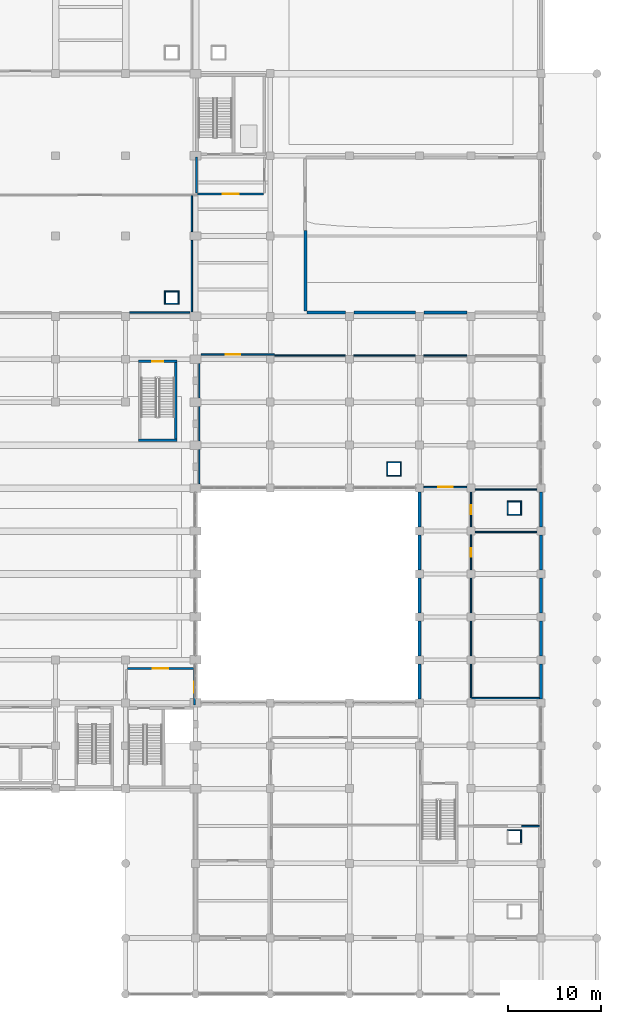
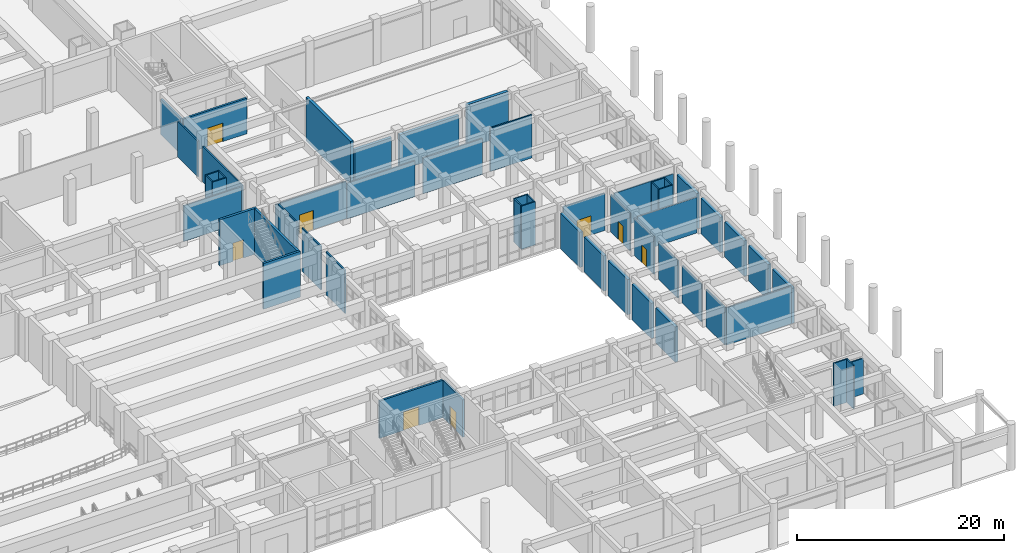
# One storey, part 69 of 84: 55 walls, 8 doors, 8 openings.
"""IFC4 building model written with IfcOpenShell, lengths in metres."""

from ifc_helpers import new_model, si_unit, direction, frame, frame_2d, origin, place, context, subcontext, project, spatial, rectangle, extrude, material, layer, layer_set, type_object, element, fill, save


model = new_model("IFC4")

# Units and contexts
model_context = context("Model", 3, precision=1e-05, world=origin(), true_north=direction((0.0, 1.0)))
body_context = subcontext(model_context, "Body", "Model", "MODEL_VIEW")
ifc_project = project(units=[si_unit("LENGTHUNIT", "METRE"), si_unit("AREAUNIT", "SQUARE_METRE"), si_unit("VOLUMEUNIT", "CUBIC_METRE"), si_unit("PLANEANGLEUNIT", "RADIAN"), si_unit("MASSUNIT", "GRAM", prefix="KILO")], contexts=[model_context])

# Site, building, storey
site_placement = place(None, origin())
site = spatial("IfcSite", under=ifc_project, at=site_placement, CompositionType="ELEMENT")
building_placement = place(site_placement, origin())
building = spatial("IfcBuilding", under=site, at=building_placement, Name="Muzn Square Opera House", CompositionType="ELEMENT")
storey_placement = place(building_placement, origin())
storey = spatial("IfcBuildingStorey", under=building, at=storey_placement, Name="L00", CompositionType="ELEMENT", Elevation=0.0)

# Walls
ifc_material_1 = material(Name="Acoustic gypsum stud partition", Category="gypsum")
ifc_layer_1 = layer(ifc_material_1, 0.320068359375, Name="Acoustic gypsum stud partition", Category="gypsum")
ifc_layer_set_1 = layer_set([ifc_layer_1], Name="Acoustic gypsum stud partition")
wall_type_1 = type_object("IfcWallType", Name="Acoustic Studio Double Wall 320mm", PredefinedType="PARTITIONING", material=ifc_layer_set_1)
wall_1_placement = place(storey_placement, frame((144.945068359375, 73.0, 0.0), z_axis=(0.0, 0.0, 1.0), x_axis=(1.0, 0.0, 0.0)))
element("IfcWall", 1, at=wall_1_placement, inside=storey, type_object=wall_type_1, Name="Room Enclosure Partition PW-L00-0125", PredefinedType="PARTITIONING", context=body_context, shape_type="SweptSolid", body=[
    extrude(rectangle(XDim=4.10986328125, YDim=0.320068359375, at=frame_2d((2.054931640625, 0.0))), origin(), (0.0, 0.0, 1.0), 4.199951171875),
])
wall_2_placement = place(storey_placement, frame((149.945068359375, 73.0, 0.0), z_axis=(0.0, 0.0, 1.0), x_axis=(1.0, 0.0, 0.0)))
element("IfcWall", 2, at=wall_2_placement, inside=storey, type_object=wall_type_1, Name="Room Enclosure Partition PW-L00-0126", PredefinedType="PARTITIONING", context=body_context, shape_type="SweptSolid", body=[
    extrude(rectangle(XDim=6.60986328125, YDim=0.320068359375, at=frame_2d((3.304931640625, 0.0))), origin(), (0.0, 0.0, 1.0), 4.199951171875),
])
wall_3_placement = place(storey_placement, frame((157.445068359375, 73.0, 0.0), z_axis=(0.0, 0.0, 1.0), x_axis=(1.0, 0.0, 0.0)))
element("IfcWall", 3, at=wall_3_placement, inside=storey, type_object=wall_type_1, Name="Room Enclosure Partition PW-L00-0127", PredefinedType="PARTITIONING", context=body_context, shape_type="SweptSolid", body=[
    extrude(rectangle(XDim=4.60986328125, YDim=0.320068359375, at=frame_2d((2.304931640625, 0.0))), origin(), (0.0, 0.0, 1.0), 5.10009765625),
])
wall_4_placement = place(storey_placement, frame((144.800048828125, 73.14501953125, 0.0), z_axis=(0.0, 0.0, 1.0), x_axis=(0.0, 1.0, 0.0)))
element("IfcWall", 4, at=wall_4_placement, inside=storey, type_object=wall_type_1, Name="Room Enclosure Partition PW-L00-0129", PredefinedType="PARTITIONING", context=body_context, shape_type="SweptSolid", body=[
    extrude(rectangle(XDim=8.635009765625, YDim=0.320068359375, at=frame_2d((4.3173828125, 0.0))), origin(), (0.0, 0.0, 1.0), 5.10009765625),
])
ifc_material_2 = material(Name="Concrete C45/55", Category="concrete")
ifc_layer_2 = layer(ifc_material_2, 0.25, Name="Concrete C45/55", Category="concrete")
ifc_layer_set_2 = layer_set([ifc_layer_2], Name="Concrete C45/55")
wall_type_2 = type_object("IfcWallType", Name="Aux Stair Enclosure Wall 250mm", PredefinedType="SHEAR", material=ifc_layer_set_2)
wall_5_placement = place(storey_placement, frame((126.89990234375, 59.324951171875, 0.0), z_axis=(0.0, 0.0, 1.0), x_axis=(1.0, 0.0, 0.0)))
element("IfcWall", 5, at=wall_5_placement, inside=storey, type_object=wall_type_2, Name="Escape Stair ST-10 Wall S L00", PredefinedType="SHEAR", context=body_context, shape_type="SweptSolid", body=[
    extrude(rectangle(XDim=4.10009765625, YDim=0.25, at=frame_2d((2.050048828125, 0.0))), origin(), (0.0, 0.0, 1.0), 5.39990234375),
])
wall_6_placement = place(storey_placement, frame((130.875, 59.449951171875, 0.0), z_axis=(0.0, 0.0, 1.0), x_axis=(0.0, 1.0, 0.0)))
element("IfcWall", 6, at=wall_6_placement, inside=storey, type_object=wall_type_2, Name="Escape Stair ST-10 Wall E L00", PredefinedType="SHEAR", context=body_context, shape_type="SweptSolid", body=[
    extrude(rectangle(XDim=8.199951171875, YDim=0.25, at=frame_2d((4.10009765625, 0.0))), origin(), (0.0, 0.0, 1.0), 5.39990234375),
])

# Wall, opening, door
wall_7_placement = place(storey_placement, frame((126.89990234375, 67.77490234375, 0.0), z_axis=(0.0, 0.0, 1.0), x_axis=(1.0, 0.0, 0.0)))
wall_7 = element("IfcWall", 7, at=wall_7_placement, inside=storey, type_object=wall_type_2, Name="Escape Stair ST-10 Wall N L00", PredefinedType="SHEAR", context=body_context, shape_type="SweptSolid", body=[
    extrude(rectangle(XDim=4.10009765625, YDim=0.25, at=frame_2d((2.050048828125, 0.0))), origin(), (0.0, 0.0, 1.0), 5.39990234375),
])
opening_1_placement = place(wall_7_placement, frame((1.449951171875, 0.0, 0.0)))
opening_1 = element("IfcOpeningElement", 8, at=opening_1_placement, cuts=wall_7, Name="Opening DR-ST12", PredefinedType="OPENING", context=body_context, shape_type="SweptSolid", body=[
    extrude(rectangle(XDim=1.199951171875, YDim=2.14990234375, at=frame_2d((0.60009765625, 1.074951171875))), frame((0.0, 0.135009765625, 0.0), z_axis=(0.0, -1.0, 0.0), x_axis=(1.0, 0.0, 0.0)), (0.0, 0.0, 1.0), 0.27001953125),
])
ifc_material_3 = material(Name="Galvanised painted steel leaf", Category="metal")
door_type_1 = type_object("IfcDoorType", Name="Core Stair Fire Door 1200x2150", OperationType="NOTDEFINED", PredefinedType="DOOR", material=ifc_material_3)
door_1_placement = place(opening_1_placement, origin())
door_1 = element("IfcDoor", 9, at=door_1_placement, inside=storey, type_object=door_type_1, Name="Escape Stair ST-10 Door L00", OperationType="SINGLE_SWING_LEFT", OverallHeight=2.14990234375, OverallWidth=1.199951171875, PredefinedType="DOOR", context=body_context, shape_type="SweptSolid", body=[
    extrude(rectangle(XDim=1.199951171875, YDim=2.14990234375, at=frame_2d((0.60009765625, 1.074951171875))), frame((0.0, 0.02490234375, 0.0), z_axis=(0.0, -1.0, 0.0), x_axis=(1.0, 0.0, 0.0)), (0.0, 0.0, 1.0), 0.050048828125),
])
fill(opening_1, door_1)

# Walls
ifc_material_4 = material(Name="Concrete C40/50", Category="concrete")
ifc_layer_3 = layer(ifc_material_4, 0.340087890625, Name="Concrete C40/50", Category="concrete")
ifc_layer_set_3 = layer_set([ifc_layer_3], Name="Concrete C40/50")
wall_type_3 = type_object("IfcWallType", Name="Exterior Insulated Spandrel Wall 340mm", PredefinedType="SOLIDWALL", material=ifc_layer_set_3)
for number, where, z_axis, x_axis, name in (
    (10, (170.0, 31.625, 0.0), (0.0, 0.0, 1.0), (0.0, 1.0, 0.0), "Exterior Facade Wall EW-L00-123"),
    (11, (170.0, 36.22509765625, 0.0), (0.0, 0.0, 1.0), (0.0, 1.0, 0.0), "Exterior Facade Wall EW-L00-124"),
    (12, (170.0, 40.824951171875, 0.0), (0.0, 0.0, 1.0), (0.0, 1.0, 0.0), "Exterior Facade Wall EW-L00-125"),
    (13, (170.0, 45.425048828125, 0.0), (0.0, 0.0, 1.0), (0.0, 1.0, 0.0), "Exterior Facade Wall EW-L00-126"),
    (14, (170.0, 50.02490234375, 0.0), (0.0, 0.0, 1.0), (0.0, 1.0, 0.0), "Exterior Facade Wall EW-L00-127"),
    (15, (157.0, 31.625, 0.0), (0.0, 0.0, 1.0), (0.0, 1.0, 0.0), "Exterior Facade Wall EW-L00-136"),
    (16, (157.0, 36.22509765625, 0.0), (0.0, 0.0, 1.0), (0.0, 1.0, 0.0), "Exterior Facade Wall EW-L00-137"),
    (17, (157.0, 40.824951171875, 0.0), (0.0, 0.0, 1.0), (0.0, 1.0, 0.0), "Exterior Facade Wall EW-L00-138"),
    (18, (157.0, 45.425048828125, 0.0), (0.0, 0.0, 1.0), (0.0, 1.0, 0.0), "Exterior Facade Wall EW-L00-139"),
    (19, (157.0, 50.02490234375, 0.0), (0.0, 0.0, 1.0), (0.0, 1.0, 0.0), "Exterior Facade Wall EW-L00-140"),
):
    element("IfcWall", number, at=place(storey_placement, frame(where, z_axis=z_axis, x_axis=x_axis)), inside=storey, type_object=wall_type_3, Name=name, PredefinedType="SOLIDWALL", context=body_context, shape_type="SweptSolid", body=[
        extrude(rectangle(XDim=3.75, YDim=0.340087890625, at=frame_2d((1.875, 0.0))), origin(), (0.0, 0.0, 1.0), 4.14990234375),
    ])

# Wall, opening, door
ifc_layer_4 = layer(ifc_material_4, 0.219970703125, Name="Concrete C40/50", Category="concrete")
ifc_layer_set_4 = layer_set([ifc_layer_4], Name="Concrete C40/50")
wall_type_4 = type_object("IfcWallType", Name="Lift Lobby Wall 220mm", PredefinedType="SOLIDWALL", material=ifc_layer_set_4)
wall_8_placement = place(storey_placement, frame((125.719970703125, 34.889892578125, 0.0), z_axis=(0.0, 0.0, 1.0), x_axis=(1.0, 0.0, 0.0)))
wall_8 = element("IfcWall", 20, at=wall_8_placement, inside=storey, type_object=wall_type_4, Name="Lobby C4 Enclosure Wall L00", PredefinedType="SOLIDWALL", context=body_context, shape_type="SweptSolid", body=[
    extrude(rectangle(XDim=7.06005859375, YDim=0.219970703125, at=frame_2d((3.530029296875, 0.0))), origin(), (0.0, 0.0, 1.0), 4.39990234375),
])
opening_2_placement = place(wall_8_placement, frame((2.679931640625, 0.0, 0.0)))
opening_2 = element("IfcOpeningElement", 21, at=opening_2_placement, cuts=wall_8, Name="Opening DR-LL17", PredefinedType="OPENING", context=body_context, shape_type="SweptSolid", body=[
    extrude(rectangle(XDim=1.699951171875, YDim=2.179931640625, at=frame_2d((0.85009765625, 1.08984375))), frame((0.0, 0.119873046875, 0.0), z_axis=(0.0, -1.0, 0.0), x_axis=(1.0, 0.0, 0.0)), (0.0, 0.0, 1.0), 0.239990234375),
])
ifc_material_5 = material(Name="Acoustic hardwood leaf", Category="wood")
door_type_2 = type_object("IfcDoorType", Name="Lift Lobby Double Door 1700x2180", OperationType="DOUBLE_DOOR_SINGLE_SWING", PredefinedType="DOOR", material=ifc_material_5)
door_2_placement = place(opening_2_placement, origin())
door_2 = element("IfcDoor", 22, at=door_2_placement, inside=storey, type_object=door_type_2, Name="Lobby C4 Fire Door L00", OperationType="DOUBLE_DOOR_SINGLE_SWING", OverallHeight=2.179931640625, OverallWidth=1.699951171875, PredefinedType="DOOR", context=body_context, shape_type="SweptSolid", body=[
    extrude(rectangle(XDim=1.699951171875, YDim=2.179931640625, at=frame_2d((0.85009765625, 1.08984375))), frame((0.0, 0.02490234375, 0.0), z_axis=(0.0, -1.0, 0.0), x_axis=(1.0, 0.0, 0.0)), (0.0, 0.0, 1.0), 0.050048828125),
])
fill(opening_2, door_2)

wall_9_placement = place(storey_placement, frame((132.889892578125, 30.949951171875, 0.0), z_axis=(0.0, 0.0, 1.0), x_axis=(0.0, 1.0, 0.0)))
wall_9 = element("IfcWall", 23, at=wall_9_placement, inside=storey, type_object=wall_type_4, Name="Lobby C4 Side Wall E L00", PredefinedType="SOLIDWALL", context=body_context, shape_type="SweptSolid", body=[
    extrude(rectangle(XDim=3.830078125, YDim=0.219970703125, at=frame_2d((1.9150390625, 0.0))), origin(), (0.0, 0.0, 1.0), 4.39990234375),
])
opening_3_placement = place(wall_9_placement, frame((2.514892578125, 0.0, 0.0), z_axis=(0.0, 0.0, 1.0), x_axis=(-1.0, 0.0, 0.0)))
opening_3 = element("IfcOpeningElement", 24, at=opening_3_placement, cuts=wall_9, Name="Opening DR-ST12", PredefinedType="OPENING", context=body_context, shape_type="SweptSolid", body=[
    extrude(rectangle(XDim=1.199951171875, YDim=2.14990234375, at=frame_2d((0.60009765625, 1.074951171875))), frame((0.0, 0.119873046875, 0.0), z_axis=(0.0, -1.0, 0.0), x_axis=(1.0, 0.0, 0.0)), (0.0, 0.0, 1.0), 0.239990234375),
])
door_3_placement = place(opening_3_placement, origin())
door_3 = element("IfcDoor", 25, at=door_3_placement, inside=storey, type_object=door_type_1, Name="Lobby C4 Side Door E L00", OperationType="SINGLE_SWING_LEFT", OverallHeight=2.14990234375, OverallWidth=1.199951171875, PredefinedType="DOOR", context=body_context, shape_type="SweptSolid", body=[
    extrude(rectangle(XDim=1.199951171875, YDim=2.14990234375, at=frame_2d((0.60009765625, 1.074951171875))), frame((0.0, 0.02490234375, 0.0), z_axis=(0.0, -1.0, 0.0), x_axis=(1.0, 0.0, 0.0)), (0.0, 0.0, 1.0), 0.050048828125),
])
fill(opening_3, door_3)

wall_10_placement = place(storey_placement, frame((133.219970703125, 85.7099609375, 0.0), z_axis=(0.0, 0.0, 1.0), x_axis=(1.0, 0.0, 0.0)))
wall_10 = element("IfcWall", 26, at=wall_10_placement, inside=storey, type_object=wall_type_4, Name="Lobby C5 Enclosure Wall L00", PredefinedType="SOLIDWALL", context=body_context, shape_type="SweptSolid", body=[
    extrude(rectangle(XDim=7.06005859375, YDim=0.219970703125, at=frame_2d((3.530029296875, 0.0))), origin(), (0.0, 0.0, 1.0), 4.199951171875),
])
opening_4_placement = place(wall_10_placement, frame((4.3798828125, 0.0, 0.0), z_axis=(0.0, 0.0, 1.0), x_axis=(-1.0, 0.0, 0.0)))
opening_4 = element("IfcOpeningElement", 27, at=opening_4_placement, cuts=wall_10, Name="Opening DR-LL17", PredefinedType="OPENING", context=body_context, shape_type="SweptSolid", body=[
    extrude(rectangle(XDim=1.699951171875, YDim=2.179931640625, at=frame_2d((0.85009765625, 1.08984375))), frame((0.0, 0.119873046875, 0.0), z_axis=(0.0, -1.0, 0.0), x_axis=(1.0, 0.0, 0.0)), (0.0, 0.0, 1.0), 0.239990234375),
])
door_4_placement = place(opening_4_placement, origin())
door_4 = element("IfcDoor", 28, at=door_4_placement, inside=storey, type_object=door_type_2, Name="Lobby C5 Fire Door L00", OperationType="DOUBLE_DOOR_SINGLE_SWING", OverallHeight=2.179931640625, OverallWidth=1.699951171875, PredefinedType="DOOR", context=body_context, shape_type="SweptSolid", body=[
    extrude(rectangle(XDim=1.699951171875, YDim=2.179931640625, at=frame_2d((0.85009765625, 1.08984375))), frame((0.0, 0.02490234375, 0.0), z_axis=(0.0, -1.0, 0.0), x_axis=(1.0, 0.0, 0.0)), (0.0, 0.0, 1.0), 0.050048828125),
])
fill(opening_4, door_4)

# Wall
wall_11_placement = place(storey_placement, frame((133.110107421875, 85.820068359375, 0.0), z_axis=(0.0, 0.0, 1.0), x_axis=(0.0, 1.0, 0.0)))
element("IfcWall", 29, at=wall_11_placement, inside=storey, type_object=wall_type_4, Name="Lobby C5 Side Wall W L00", PredefinedType="SOLIDWALL", context=body_context, shape_type="SweptSolid", body=[
    extrude(rectangle(XDim=3.829833984375, YDim=0.219970703125, at=frame_2d((1.9150390625, 0.0))), origin(), (0.0, 0.0, 1.0), 4.199951171875),
])

# Wall, opening, door
ifc_layer_5 = layer(ifc_material_1, 0.14990234375, Name="Acoustic gypsum stud partition", Category="gypsum")
ifc_layer_set_5 = layer_set([ifc_layer_5], Name="Acoustic gypsum stud partition")
wall_type_5 = type_object("IfcWallType", Name="Office Acoustic Partition 150mm", PredefinedType="PARTITIONING", material=ifc_layer_set_5)
wall_12_placement = place(storey_placement, frame((133.60498046875, 68.5, 0.0), z_axis=(0.0, 0.0, 1.0), x_axis=(1.0, 0.0, 0.0)))
wall_12 = element("IfcWall", 30, at=wall_12_placement, inside=storey, type_object=wall_type_5, Name="Interior Partition PW-L00-0074", PredefinedType="PARTITIONING", context=body_context, shape_type="SweptSolid", body=[
    extrude(rectangle(XDim=7.8349609375, YDim=0.14990234375, at=frame_2d((3.91748046875, 0.0))), origin(), (0.0, 0.0, 1.0), 4.39990234375),
])
opening_5_placement = place(wall_12_placement, frame((2.6298828125, 0.0, 0.0)))
opening_5 = element("IfcOpeningElement", 31, at=opening_5_placement, cuts=wall_12, Name="Opening DR-IB15", PredefinedType="OPENING", context=body_context, shape_type="SweptSolid", body=[
    extrude(rectangle(XDim=1.550048828125, YDim=2.25, at=frame_2d((0.77490234375, 1.125))), frame((0.0, 0.0849609375, 0.0), z_axis=(0.0, -1.0, 0.0), x_axis=(1.0, 0.0, 0.0)), (0.0, 0.0, 1.0), 0.169921875),
])
door_type_3 = type_object("IfcDoorType", Name="Interval Bar Double Door 1550x2250", OperationType="DOUBLE_DOOR_SINGLE_SWING", PredefinedType="DOOR", material=ifc_material_5)
door_5_placement = place(opening_5_placement, origin())
door_5 = element("IfcDoor", 32, at=door_5_placement, inside=storey, type_object=door_type_3, Name="Square Cafe and Interval Counter Door DR-L00-0030", OperationType="DOUBLE_DOOR_SINGLE_SWING", OverallHeight=2.25, OverallWidth=1.550048828125, PredefinedType="DOOR", context=body_context, shape_type="SweptSolid", body=[
    extrude(rectangle(XDim=1.550048828125, YDim=2.25, at=frame_2d((0.77490234375, 1.125))), frame((0.0, 0.02490234375, 0.0), z_axis=(0.0, -1.0, 0.0), x_axis=(1.0, 0.0, 0.0)), (0.0, 0.0, 1.0), 0.050048828125),
])
fill(opening_5, door_5)

wall_13_placement = place(storey_placement, frame((157.445068359375, 54.300048828125, 0.0), z_axis=(0.0, 0.0, 1.0), x_axis=(1.0, 0.0, 0.0)))
wall_13 = element("IfcWall", 33, at=wall_13_placement, inside=storey, type_object=wall_type_5, Name="Interior Partition PW-L00-0075", PredefinedType="PARTITIONING", context=body_context, shape_type="SweptSolid", body=[
    extrude(rectangle(XDim=4.60986328125, YDim=0.14990234375, at=frame_2d((2.304931640625, 0.0))), origin(), (0.0, 0.0, 1.0), 4.39990234375),
])
opening_6_placement = place(wall_13_placement, frame((1.530029296875, 0.0, 0.0)))
opening_6 = element("IfcOpeningElement", 34, at=opening_6_placement, cuts=wall_13, Name="Opening DR-IB15", PredefinedType="OPENING", context=body_context, shape_type="SweptSolid", body=[
    extrude(rectangle(XDim=1.550048828125, YDim=2.25, at=frame_2d((0.77490234375, 1.125))), frame((0.0, 0.0849609375, 0.0), z_axis=(0.0, -1.0, 0.0), x_axis=(1.0, 0.0, 0.0)), (0.0, 0.0, 1.0), 0.169921875),
])
door_6_placement = place(opening_6_placement, origin())
door_6 = element("IfcDoor", 35, at=door_6_placement, inside=storey, type_object=door_type_3, Name="Square Cafe and Interval Counter Door DR-L00-0031", OperationType="DOUBLE_DOOR_SINGLE_SWING", OverallHeight=2.25, OverallWidth=1.550048828125, PredefinedType="DOOR", context=body_context, shape_type="SweptSolid", body=[
    extrude(rectangle(XDim=1.550048828125, YDim=2.25, at=frame_2d((0.77490234375, 1.125))), frame((0.0, 0.02490234375, 0.0), z_axis=(0.0, -1.0, 0.0), x_axis=(1.0, 0.0, 0.0)), (0.0, 0.0, 1.0), 0.050048828125),
])
fill(opening_6, door_6)

# Walls
wall_14_placement = place(storey_placement, frame((125.945068359375, 73.0, 0.0), z_axis=(0.0, 0.0, 1.0), x_axis=(1.0, 0.0, 0.0)))
element("IfcWall", 36, at=wall_14_placement, inside=storey, type_object=wall_type_5, Name="Room Enclosure Partition PW-L00-0108", PredefinedType="PARTITIONING", context=body_context, shape_type="SweptSolid", body=[
    extrude(rectangle(XDim=6.434814453125, YDim=0.14990234375, at=frame_2d((3.21728515625, 0.0))), origin(), (0.0, 0.0, 1.0), 4.199951171875),
])
wall_15_placement = place(storey_placement, frame((132.60009765625, 73.070068359375, 0.0), z_axis=(0.0, 0.0, 1.0), x_axis=(0.0, 1.0, 0.0)))
element("IfcWall", 37, at=wall_15_placement, inside=storey, type_object=wall_type_5, Name="Room Enclosure Partition PW-L00-0109", PredefinedType="PARTITIONING", context=body_context, shape_type="SweptSolid", body=[
    extrude(rectangle(XDim=7.659912109375, YDim=0.14990234375, at=frame_2d((3.830078125, 0.0))), origin(), (0.0, 0.0, 1.0), 4.199951171875),
])
wall_16_placement = place(storey_placement, frame((132.60009765625, 81.669921875, 0.0), z_axis=(0.0, 0.0, 1.0), x_axis=(0.0, 1.0, 0.0)))
element("IfcWall", 38, at=wall_16_placement, inside=storey, type_object=wall_type_5, Name="Room Enclosure Partition PW-L00-0110", PredefinedType="PARTITIONING", context=body_context, shape_type="SweptSolid", body=[
    extrude(rectangle(XDim=3.85009765625, YDim=0.14990234375, at=frame_2d((1.925048828125, 0.0))), origin(), (0.0, 0.0, 1.0), 4.199951171875),
])
wall_17_placement = place(storey_placement, frame((167.929931640625, 18.0, 0.0), z_axis=(0.0, 0.0, 1.0), x_axis=(1.0, 0.0, 0.0)))
element("IfcWall", 39, at=wall_17_placement, inside=storey, type_object=wall_type_5, Name="Room Enclosure Partition PW-L00-0116", PredefinedType="PARTITIONING", context=body_context, shape_type="SweptSolid", body=[
    extrude(rectangle(XDim=1.985107421875, YDim=0.14990234375, at=frame_2d((0.99267578125, 0.0))), origin(), (0.0, 0.0, 1.0), 4.199951171875),
])
wall_18_placement = place(storey_placement, frame((149.945068359375, 68.39990234375, 0.0), z_axis=(0.0, 0.0, 1.0), x_axis=(1.0, 0.0, 0.0)))
element("IfcWall", 40, at=wall_18_placement, inside=storey, type_object=wall_type_5, Name="Room Enclosure Partition PW-L00-0119", PredefinedType="PARTITIONING", context=body_context, shape_type="SweptSolid", body=[
    extrude(rectangle(XDim=6.60986328125, YDim=0.14990234375, at=frame_2d((3.304931640625, 0.0))), origin(), (0.0, 0.0, 1.0), 4.199951171875),
])
wall_19_placement = place(storey_placement, frame((157.445068359375, 68.39990234375, 0.0), z_axis=(0.0, 0.0, 1.0), x_axis=(1.0, 0.0, 0.0)))
element("IfcWall", 41, at=wall_19_placement, inside=storey, type_object=wall_type_5, Name="Room Enclosure Partition PW-L00-0120", PredefinedType="PARTITIONING", context=body_context, shape_type="SweptSolid", body=[
    extrude(rectangle(XDim=4.60986328125, YDim=0.14990234375, at=frame_2d((2.304931640625, 0.0))), origin(), (0.0, 0.0, 1.0), 5.10009765625),
])
wall_20_placement = place(storey_placement, frame((133.39990234375, 54.669921875, 0.0), z_axis=(0.0, 0.0, 1.0), x_axis=(0.0, 1.0, 0.0)))
element("IfcWall", 42, at=wall_20_placement, inside=storey, type_object=wall_type_5, Name="Room Enclosure Partition PW-L00-0122", PredefinedType="PARTITIONING", context=body_context, shape_type="SweptSolid", body=[
    extrude(rectangle(XDim=3.66015625, YDim=0.14990234375, at=frame_2d((1.830078125, 0.0))), origin(), (0.0, 0.0, 1.0), 5.10009765625),
])
for number, where, z_axis, x_axis, name in (
    (43, (133.39990234375, 59.27001953125, 0.0), (0.0, 0.0, 1.0), (0.0, 1.0, 0.0), "Room Enclosure Partition PW-L00-0123"),
    (44, (133.39990234375, 63.8701171875, 0.0), (0.0, 0.0, 1.0), (0.0, 1.0, 0.0), "Room Enclosure Partition PW-L00-0124"),
):
    element("IfcWall", number, at=place(storey_placement, frame(where, z_axis=z_axis, x_axis=x_axis)), inside=storey, type_object=wall_type_5, Name=name, PredefinedType="PARTITIONING", context=body_context, shape_type="SweptSolid", body=[
        extrude(rectangle(XDim=3.659912109375, YDim=0.14990234375, at=frame_2d((1.830078125, 0.0))), origin(), (0.0, 0.0, 1.0), 5.10009765625),
    ])
wall_21_placement = place(storey_placement, frame((141.4599609375, 68.39990234375, 0.0), z_axis=(0.0, 0.0, 1.0), x_axis=(1.0, 0.0, 0.0)))
element("IfcWall", 45, at=wall_21_placement, inside=storey, type_object=wall_type_5, Name="Room Enclosure Partition PW-L00-0118", PredefinedType="PARTITIONING", context=body_context, shape_type="SweptSolid", body=[
    extrude(rectangle(XDim=7.594970703125, YDim=0.14990234375, at=frame_2d((3.79736328125, 0.0))), origin(), (0.0, 0.0, 1.0), 4.199951171875),
])
ifc_layer_6 = layer(ifc_material_1, 0.1298828125, Name="Acoustic gypsum stud partition", Category="gypsum")
ifc_layer_set_6 = layer_set([ifc_layer_6], Name="Acoustic gypsum stud partition")
wall_type_6 = type_object("IfcWallType", Name="Service Closet Partition 130mm", PredefinedType="PARTITIONING", material=ifc_layer_set_6)
wall_22_placement = place(storey_placement, frame((166.3701171875, 17.56494140625, 0.0), z_axis=(0.0, 0.0, 1.0), x_axis=(1.0, 0.0, 0.0)))
element("IfcWall", 46, at=wall_22_placement, inside=storey, type_object=wall_type_6, Name="MEP Riser Shaft Wall RSR-EN L00-N", PredefinedType="PARTITIONING", context=body_context, shape_type="SweptSolid", body=[
    extrude(rectangle(XDim=1.559814453125, YDim=0.1298828125, at=frame_2d((0.77978515625, 0.0))), origin(), (0.0, 0.0, 1.0), 5.10009765625),
])
wall_23_placement = place(storey_placement, frame((167.864990234375, 16.199951171875, 0.0), z_axis=(0.0, 0.0, 1.0), x_axis=(0.0, 1.0, 0.0)))
element("IfcWall", 47, at=wall_23_placement, inside=storey, type_object=wall_type_6, Name="MEP Riser Shaft Wall RSR-EN L00-E", PredefinedType="PARTITIONING", context=body_context, shape_type="SweptSolid", body=[
    extrude(rectangle(XDim=1.300048828125, YDim=0.1298828125, at=frame_2d((0.64990234375, 0.0))), origin(), (0.0, 0.0, 1.0), 5.10009765625),
])
for number, where, z_axis, x_axis, name in (
    (48, (166.3701171875, 51.3349609375, 0.0), (0.0, 0.0, 1.0), (1.0, 0.0, 0.0), "MEP Riser Shaft Wall RSR-EO L00-S"),
    (49, (166.3701171875, 52.764892578125, 0.0), (0.0, 0.0, 1.0), (1.0, 0.0, 0.0), "MEP Riser Shaft Wall RSR-EO L00-N"),
):
    element("IfcWall", number, at=place(storey_placement, frame(where, z_axis=z_axis, x_axis=x_axis)), inside=storey, type_object=wall_type_6, Name=name, PredefinedType="PARTITIONING", context=body_context, shape_type="SweptSolid", body=[
        extrude(rectangle(XDim=1.559814453125, YDim=0.1298828125, at=frame_2d((0.77978515625, 0.0))), origin(), (0.0, 0.0, 1.0), 5.10009765625),
    ])
for number, where, z_axis, x_axis, name in (
    (50, (166.43505859375, 51.39990234375, 0.0), (0.0, 0.0, 1.0), (0.0, 1.0, 0.0), "MEP Riser Shaft Wall RSR-EO L00-W"),
    (51, (167.864990234375, 51.39990234375, 0.0), (0.0, 0.0, 1.0), (0.0, 1.0, 0.0), "MEP Riser Shaft Wall RSR-EO L00-E"),
):
    element("IfcWall", number, at=place(storey_placement, frame(where, z_axis=z_axis, x_axis=x_axis)), inside=storey, type_object=wall_type_6, Name=name, PredefinedType="PARTITIONING", context=body_context, shape_type="SweptSolid", body=[
        extrude(rectangle(XDim=1.300048828125, YDim=0.1298828125, at=frame_2d((0.64990234375, 0.0))), origin(), (0.0, 0.0, 1.0), 5.10009765625),
    ])
for number, where, z_axis, x_axis, name in (
    (52, (153.469970703125, 55.534912109375, 0.0), (0.0, 0.0, 1.0), (1.0, 0.0, 0.0), "MEP Riser Shaft Wall RSR-EM L00-S"),
    (53, (153.469970703125, 56.965087890625, 0.0), (0.0, 0.0, 1.0), (1.0, 0.0, 0.0), "MEP Riser Shaft Wall RSR-EM L00-N"),
):
    element("IfcWall", number, at=place(storey_placement, frame(where, z_axis=z_axis, x_axis=x_axis)), inside=storey, type_object=wall_type_6, Name=name, PredefinedType="PARTITIONING", context=body_context, shape_type="SweptSolid", body=[
        extrude(rectangle(XDim=1.56005859375, YDim=0.1298828125, at=frame_2d((0.780029296875, 0.0))), origin(), (0.0, 0.0, 1.0), 5.10009765625),
    ])
for number, where, z_axis, x_axis, name in (
    (54, (153.534912109375, 55.60009765625, 0.0), (0.0, 0.0, 1.0), (0.0, 1.0, 0.0), "MEP Riser Shaft Wall RSR-EM L00-W"),
    (55, (154.965087890625, 55.60009765625, 0.0), (0.0, 0.0, 1.0), (0.0, 1.0, 0.0), "MEP Riser Shaft Wall RSR-EM L00-E"),
):
    element("IfcWall", number, at=place(storey_placement, frame(where, z_axis=z_axis, x_axis=x_axis)), inside=storey, type_object=wall_type_6, Name=name, PredefinedType="PARTITIONING", context=body_context, shape_type="SweptSolid", body=[
        extrude(rectangle(XDim=1.2998046875, YDim=0.1298828125, at=frame_2d((0.64990234375, 0.0))), origin(), (0.0, 0.0, 1.0), 5.10009765625),
    ])
for number, where, z_axis, x_axis, name in (
    (56, (129.669921875, 73.93505859375, 0.0), (0.0, 0.0, 1.0), (1.0, 0.0, 0.0), "MEP Riser Shaft Wall RSR-SE L00-S"),
    (57, (129.669921875, 75.264892578125, 0.0), (0.0, 0.0, 1.0), (1.0, 0.0, 0.0), "MEP Riser Shaft Wall RSR-SE L00-N"),
):
    element("IfcWall", number, at=place(storey_placement, frame(where, z_axis=z_axis, x_axis=x_axis)), inside=storey, type_object=wall_type_6, Name=name, PredefinedType="PARTITIONING", context=body_context, shape_type="SweptSolid", body=[
        extrude(rectangle(XDim=1.56005859375, YDim=0.1298828125, at=frame_2d((0.780029296875, 0.0))), origin(), (0.0, 0.0, 1.0), 5.10009765625),
    ])
for number, where, z_axis, x_axis, name in (
    (58, (129.735107421875, 74.0, 0.0), (0.0, 0.0, 1.0), (0.0, 1.0, 0.0), "MEP Riser Shaft Wall RSR-SE L00-W"),
    (59, (131.1650390625, 74.0, 0.0), (0.0, 0.0, 1.0), (0.0, 1.0, 0.0), "MEP Riser Shaft Wall RSR-SE L00-E"),
):
    element("IfcWall", number, at=place(storey_placement, frame(where, z_axis=z_axis, x_axis=x_axis)), inside=storey, type_object=wall_type_6, Name=name, PredefinedType="PARTITIONING", context=body_context, shape_type="SweptSolid", body=[
        extrude(rectangle(XDim=1.199951171875, YDim=0.1298828125, at=frame_2d((0.60009765625, 0.0))), origin(), (0.0, 0.0, 1.0), 5.10009765625),
    ])
ifc_layer_7 = layer(ifc_material_1, 0.139892578125, Name="Acoustic gypsum stud partition", Category="gypsum")
ifc_layer_set_7 = layer_set([ifc_layer_7], Name="Acoustic gypsum stud partition")
wall_type_7 = type_object("IfcWallType", Name="Wet Room Tile Partition 140mm", PredefinedType="PARTITIONING", material=ifc_layer_set_7)
wall_24_placement = place(storey_placement, frame((162.945068359375, 49.5, 0.0), z_axis=(0.0, 0.0, 1.0), x_axis=(1.0, 0.0, 0.0)))
element("IfcWall", 60, at=wall_24_placement, inside=storey, type_object=wall_type_7, Name="Interior Partition PW-L00-0067", PredefinedType="PARTITIONING", context=body_context, shape_type="SweptSolid", body=[
    extrude(rectangle(XDim=6.625, YDim=0.139892578125, at=frame_2d((3.3125, 0.0))), origin(), (0.0, 0.0, 1.0), 4.199951171875),
])

# Wall, opening, door
wall_25_placement = place(storey_placement, frame((162.5, 45.445068359375, 0.0), z_axis=(0.0, 0.0, 1.0), x_axis=(0.0, 1.0, 0.0)))
wall_25 = element("IfcWall", 61, at=wall_25_placement, inside=storey, type_object=wall_type_7, Name="Interior Partition PW-L00-0068", PredefinedType="PARTITIONING", context=body_context, shape_type="SweptSolid", body=[
    extrude(rectangle(XDim=3.7548828125, YDim=0.139892578125, at=frame_2d((1.87744140625, 0.0))), origin(), (0.0, 0.0, 1.0), 4.39990234375),
])
opening_7_placement = place(wall_25_placement, frame((1.427490234375, 0.0, 0.0)))
opening_7 = element("IfcOpeningElement", 62, at=opening_7_placement, cuts=wall_25, Name="Opening DR-WC90", PredefinedType="OPENING", context=body_context, shape_type="SweptSolid", body=[
    extrude(rectangle(XDim=0.89990234375, YDim=2.10009765625, at=frame_2d((0.449951171875, 1.050048828125))), frame((0.0, 0.079833984375, 0.0), z_axis=(0.0, -1.0, 0.0), x_axis=(1.0, 0.0, 0.0)), (0.0, 0.0, 1.0), 0.159912109375),
])
door_type_4 = type_object("IfcDoorType", Name="Public WC Lobby Door 900x2100", OperationType="NOTDEFINED", PredefinedType="DOOR", material=ifc_material_5)
door_7_placement = place(opening_7_placement, origin())
door_7 = element("IfcDoor", 63, at=door_7_placement, inside=storey, type_object=door_type_4, Name="East Foyer Public WC Door DR-L00-0028", OperationType="SINGLE_SWING_RIGHT", OverallHeight=2.10009765625, OverallWidth=0.89990234375, PredefinedType="DOOR", context=body_context, shape_type="SweptSolid", body=[
    extrude(rectangle(XDim=0.89990234375, YDim=2.10009765625, at=frame_2d((0.449951171875, 1.050048828125))), frame((0.0, 0.02490234375, 0.0), z_axis=(0.0, -1.0, 0.0), x_axis=(1.0, 0.0, 0.0)), (0.0, 0.0, 1.0), 0.050048828125),
])
fill(opening_7, door_7)

# Walls
for number, where, z_axis, x_axis, name in (
    (64, (162.5, 36.2451171875, 0.0), (0.0, 0.0, 1.0), (0.0, 1.0, 0.0), "Interior Partition PW-L00-0069"),
    (65, (162.5, 40.844970703125, 0.0), (0.0, 0.0, 1.0), (0.0, 1.0, 0.0), "Interior Partition PW-L00-0070"),
):
    element("IfcWall", number, at=place(storey_placement, frame(where, z_axis=z_axis, x_axis=x_axis)), inside=storey, type_object=wall_type_7, Name=name, PredefinedType="PARTITIONING", context=body_context, shape_type="SweptSolid", body=[
        extrude(rectangle(XDim=3.7099609375, YDim=0.139892578125, at=frame_2d((1.85498046875, 0.0))), origin(), (0.0, 0.0, 1.0), 4.39990234375),
    ])
wall_26_placement = place(storey_placement, frame((162.5, 31.7548828125, 0.0), z_axis=(0.0, 0.0, 1.0), x_axis=(0.0, 1.0, 0.0)))
element("IfcWall", 66, at=wall_26_placement, inside=storey, type_object=wall_type_7, Name="Interior Partition PW-L00-0071", PredefinedType="PARTITIONING", context=body_context, shape_type="SweptSolid", body=[
    extrude(rectangle(XDim=3.60009765625, YDim=0.139892578125, at=frame_2d((1.800048828125, 0.0))), origin(), (0.0, 0.0, 1.0), 4.39990234375),
])
wall_27_placement = place(storey_placement, frame((162.945068359375, 54.050048828125, 0.0), z_axis=(0.0, 0.0, 1.0), x_axis=(1.0, 0.0, 0.0)))
element("IfcWall", 67, at=wall_27_placement, inside=storey, type_object=wall_type_7, Name="Interior Partition PW-L00-0072", PredefinedType="PARTITIONING", context=body_context, shape_type="SweptSolid", body=[
    extrude(rectangle(XDim=6.625, YDim=0.139892578125, at=frame_2d((3.3125, 0.0))), origin(), (0.0, 0.0, 1.0), 4.199951171875),
])

# Wall, opening, door
wall_28_placement = place(storey_placement, frame((162.5, 50.044921875, 0.0), z_axis=(0.0, 0.0, 1.0), x_axis=(0.0, 1.0, 0.0)))
wall_28 = element("IfcWall", 68, at=wall_28_placement, inside=storey, type_object=wall_type_7, Name="Interior Partition PW-L00-0073", PredefinedType="PARTITIONING", context=body_context, shape_type="SweptSolid", body=[
    extrude(rectangle(XDim=3.72509765625, YDim=0.139892578125, at=frame_2d((1.862548828125, 0.0))), origin(), (0.0, 0.0, 1.0), 4.39990234375),
])
opening_8_placement = place(wall_28_placement, frame((1.3525390625, 0.0, 0.0)))
opening_8 = element("IfcOpeningElement", 69, at=opening_8_placement, cuts=wall_28, Name="Opening DR-AW95", PredefinedType="OPENING", context=body_context, shape_type="SweptSolid", body=[
    extrude(rectangle(XDim=0.949951171875, YDim=2.10009765625, at=frame_2d((0.47509765625, 1.050048828125))), frame((0.0, 0.079833984375, 0.0), z_axis=(0.0, -1.0, 0.0), x_axis=(1.0, 0.0, 0.0)), (0.0, 0.0, 1.0), 0.159912109375),
])
door_type_5 = type_object("IfcDoorType", Name="Accessible WC Door 950x2100", OperationType="NOTDEFINED", PredefinedType="DOOR", material=ifc_material_5)
door_8_placement = place(opening_8_placement, origin())
door_8 = element("IfcDoor", 70, at=door_8_placement, inside=storey, type_object=door_type_5, Name="East Foyer Accessible WC Door DR-L00-0029", OperationType="SINGLE_SWING_LEFT", OverallHeight=2.10009765625, OverallWidth=0.949951171875, PredefinedType="DOOR", context=body_context, shape_type="SweptSolid", body=[
    extrude(rectangle(XDim=0.949951171875, YDim=2.10009765625, at=frame_2d((0.47509765625, 1.050048828125))), frame((0.0, 0.02490234375, 0.0), z_axis=(0.0, -1.0, 0.0), x_axis=(1.0, 0.0, 0.0)), (0.0, 0.0, 1.0), 0.050048828125),
])
fill(opening_8, door_8)

# Wall
wall_29_placement = place(storey_placement, frame((162.574951171875, 31.699951171875, 0.0), z_axis=(0.0, 0.0, 1.0), x_axis=(1.0, 0.0, 0.0)))
element("IfcWall", 71, at=wall_29_placement, inside=storey, type_object=wall_type_7, Name="Room Enclosure Partition PW-L00-0117", PredefinedType="PARTITIONING", context=body_context, shape_type="SweptSolid", body=[
    extrude(rectangle(XDim=7.25, YDim=0.139892578125, at=frame_2d((3.625, 0.0))), origin(), (0.0, 0.0, 1.0), 4.39990234375),
])

save(model, "model.ifc")
